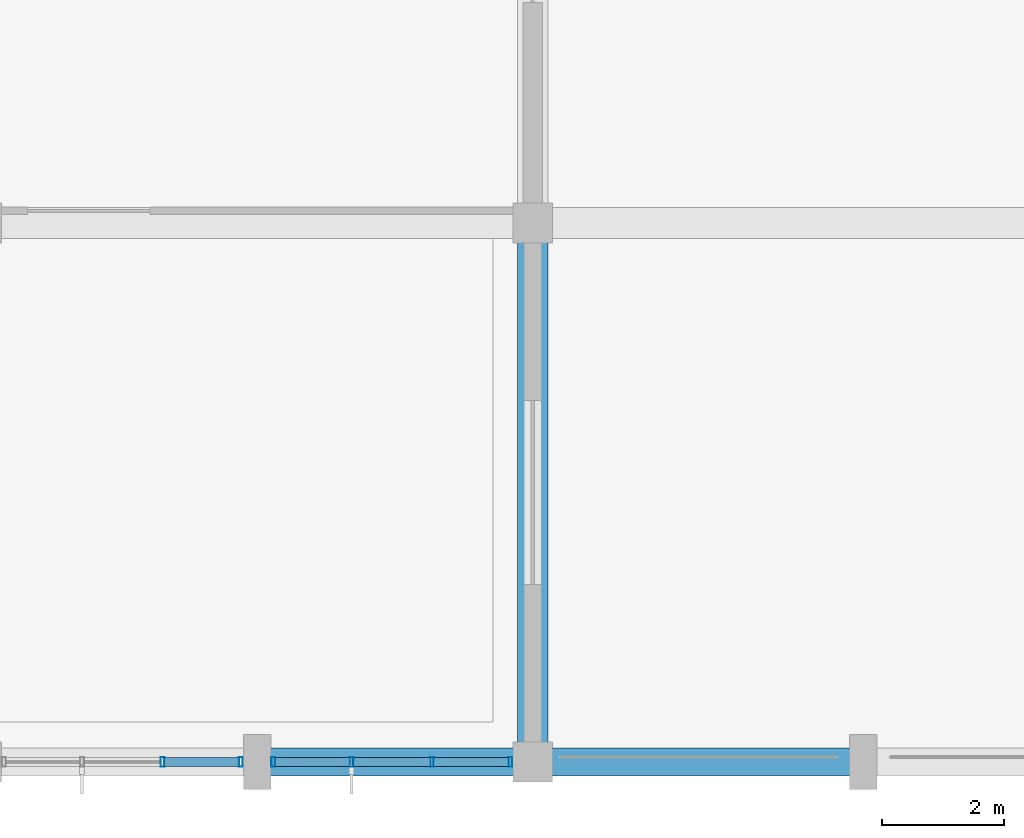
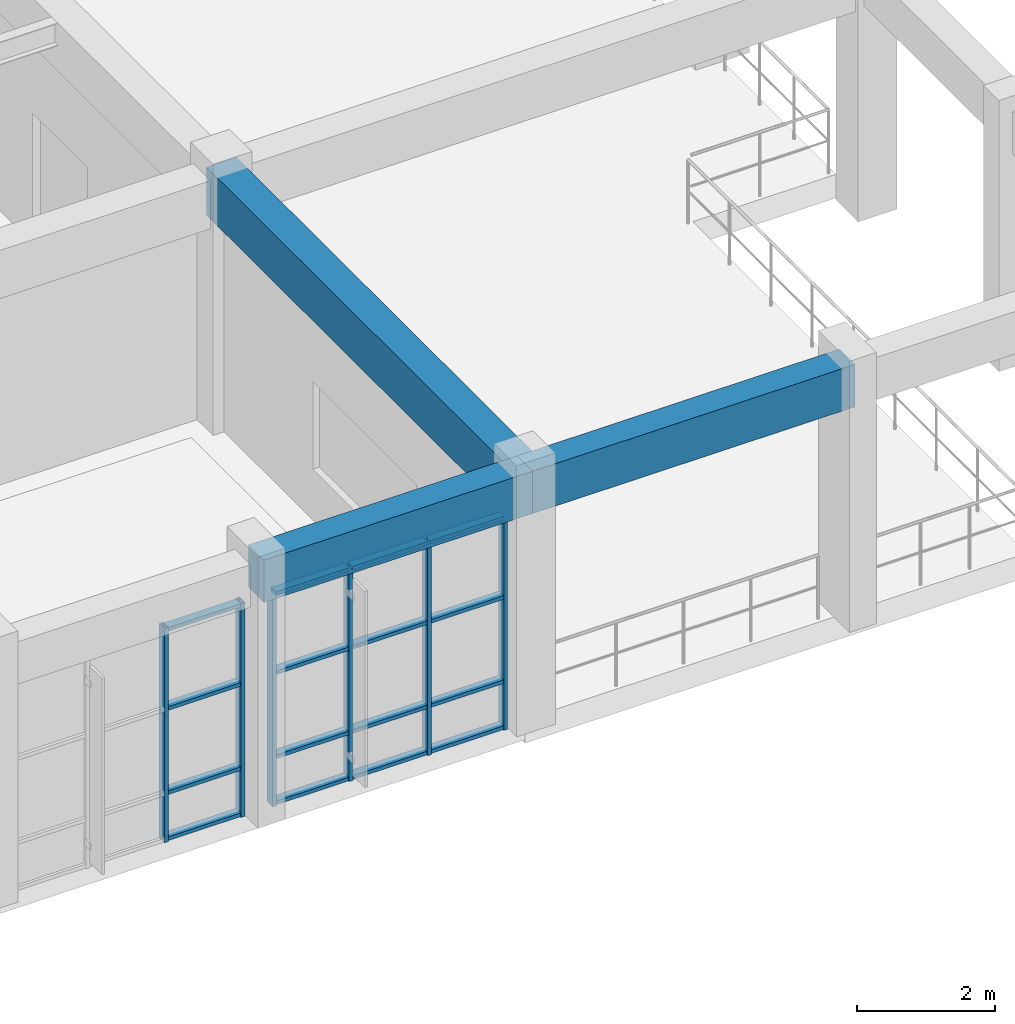
# One storey, part 11 of 104: 22 members, 3 beams, 2 elements without a shape of their own.
"""IFC4 building model written with IfcOpenShell, lengths in metres."""

import ifcopenshell
import ifcopenshell.guid

model = None  # the IFC model being written
_history = None  # IfcOwnerHistory: only IFC2X3 demands one
_inside = {}  # id of a spatial element -> (the spatial element, [elements in it])
_under = {}  # id of a project, library or spatial element -> (it, [spatial elements below it])
_declared = {}  # id of a project -> (the project, [libraries it declares])
_typed = {}  # id of a type object -> (the type object, [elements of that type])
_made_of = {}  # id of a material, layer set ... -> (it, [elements and type objects made of it])


def new_model(schema):
    """Start an empty IFC model of exactly this schema.

    Asked for "IFC4X3", IfcOpenShell would pick the latest addendum, in which some entities
    have other attributes; the version numbers below select the first issue.
    IFC2X3 requires an IfcOwnerHistory on every rooted entity: one is made here for all.
    """
    global model, _history
    if schema == "IFC4X3":
        model = ifcopenshell.file(schema_version=(4, 3, 0, 0))
    else:
        model = ifcopenshell.file(schema=schema)
    _inside.clear()
    _under.clear()
    _declared.clear()
    _typed.clear()
    _made_of.clear()
    _history = None
    if model.schema == "IFC2X3":
        org = make("IfcOrganization", Name="unknown")
        user = make(
            "IfcPersonAndOrganization",
            ThePerson=make("IfcPerson", FamilyName="unknown"),
            TheOrganization=org,
        )
        app = make(
            "IfcApplication",
            ApplicationDeveloper=org,
            Version="unknown",
            ApplicationFullName="unknown",
            ApplicationIdentifier="unknown",
        )
        _history = make(
            "IfcOwnerHistory",
            OwningUser=user,
            OwningApplication=app,
            ChangeAction="ADDED",
            CreationDate=0,
        )
    return model


def make(cls, **values):
    """One entity of the class cls with the attributes given. An attribute that is None is left unset."""
    return model.create_entity(
        cls, **{name: value for name, value in values.items() if value is not None}
    )


def rooted(cls, **values):
    """An entity with a GlobalId (a new one), such as an element, a storey or a relation."""
    return make(cls, GlobalId=ifcopenshell.guid.new(), OwnerHistory=_history, **values)


def si_unit(unit_type, name, prefix=None):
    """IfcSIUnit, for example si_unit("LENGTHUNIT", "METRE", prefix="MILLI")."""
    return make("IfcSIUnit", UnitType=unit_type, Prefix=prefix, Name=name)


def assignment(units):
    """IfcUnitAssignment: the units of a project."""
    return None if units is None else make("IfcUnitAssignment", Units=units)


def point(xyz):
    """IfcCartesianPoint."""
    return None if xyz is None else make("IfcCartesianPoint", Coordinates=xyz)


def direction(xyz):
    """IfcDirection."""
    return None if xyz is None else make("IfcDirection", DirectionRatios=xyz)


def frame(location, z_axis=None, x_axis=None):
    """IfcAxis2Placement3D, a coordinate frame: its origin and axes. An axis left out is left unset."""
    return make(
        "IfcAxis2Placement3D",
        Location=point(location),
        Axis=direction(z_axis),
        RefDirection=direction(x_axis),
    )


def frame_2d(location, x_axis=None):
    """IfcAxis2Placement2D, a coordinate frame in the plane: its origin and x axis."""
    return make(
        "IfcAxis2Placement2D", Location=point(location), RefDirection=direction(x_axis)
    )


def origin():
    """The frame at (0, 0, 0) with its axes left unset."""
    return frame((0.0, 0.0, 0.0))


def origin_2d():
    """The frame at (0, 0) in the plane with its x axis left unset."""
    return frame_2d((0.0, 0.0))


def place(relative_to, where):
    """IfcLocalPlacement: puts the frame where relative to a parent placement (None: the world)."""
    return make(
        "IfcLocalPlacement", PlacementRelTo=relative_to, RelativePlacement=where
    )


def context(
    kind, dimensions, precision=None, world=None, true_north=None, identifier=None
):
    """IfcGeometricRepresentationContext, for example the 3D "Model" context."""
    return make(
        "IfcGeometricRepresentationContext",
        ContextIdentifier=identifier,
        ContextType=kind,
        CoordinateSpaceDimension=dimensions,
        Precision=precision,
        WorldCoordinateSystem=world,
        TrueNorth=true_north,
    )


def subcontext(parent, identifier, kind, view, scale=None):
    """IfcGeometricRepresentationSubContext, for example "Body" below "Model"."""
    return make(
        "IfcGeometricRepresentationSubContext",
        ContextIdentifier=identifier,
        ContextType=kind,
        ParentContext=parent,
        TargetScale=scale,
        TargetView=view,
    )


def project(units=None, contexts=None):
    """IfcProject with its units and contexts."""
    return rooted(
        "IfcProject",
        Name="project",
        RepresentationContexts=contexts,
        UnitsInContext=assignment(units),
    )


def spatial(cls, under=None, at=None, **own):
    """A site, building, storey or space (cls), placed at a placement, below another one or the project."""
    s = rooted(cls, ObjectPlacement=at, **own)
    if under is not None:
        _under.setdefault(under.id(), (under, []))[1].append(s)
    return s


def profile(cls, at=None, kind="AREA", **sizes):
    """A parametric profile (cls). Its sizes go by their IFC names, for example OverallWidth=200.0."""
    return make(cls, ProfileType=kind, Position=at, **sizes)


def rectangle(**sizes):
    """IfcRectangleProfileDef."""
    return profile("IfcRectangleProfileDef", **sizes)


def hollow_rectangle(**sizes):
    """IfcRectangleHollowProfileDef."""
    return profile("IfcRectangleHollowProfileDef", **sizes)


def extrude(swept, where, along, depth):
    """IfcExtrudedAreaSolid: the profile swept, set in the frame where, extruded along a direction by depth."""
    return make(
        "IfcExtrudedAreaSolid",
        SweptArea=swept,
        Position=where,
        ExtrudedDirection=direction(along),
        Depth=depth,
    )


def shape(context_of_items, identifier, shape_type, items):
    """IfcShapeRepresentation: the items that make up one representation, for example the "Body"."""
    return make(
        "IfcShapeRepresentation",
        ContextOfItems=context_of_items,
        RepresentationIdentifier=identifier,
        RepresentationType=shape_type,
        Items=items,
    )


def material(Name=None, Category=None):
    """IfcMaterial."""
    return make("IfcMaterial", Name=Name, Category=Category)


def layer(
    of_material, thickness, ventilated=None, Name=None, Category=None, Priority=None
):
    """IfcMaterialLayer: one layer of a wall or slab, of a material (None: an air gap)."""
    return make(
        "IfcMaterialLayer",
        Material=of_material,
        LayerThickness=thickness,
        IsVentilated=ventilated,
        Name=Name,
        Category=Category,
        Priority=Priority,
    )


def layer_set(layers, Name=None):
    """IfcMaterialLayerSet."""
    return make("IfcMaterialLayerSet", MaterialLayers=layers, LayerSetName=Name)


def material_profile(
    of_material, cross_section, Name=None, Category=None, Priority=None
):
    """IfcMaterialProfile: a cross section and its material."""
    return make(
        "IfcMaterialProfile",
        Name=Name,
        Material=of_material,
        Profile=cross_section,
        Priority=Priority,
        Category=Category,
    )


def profile_set(profiles, Name=None, composite=None):
    """IfcMaterialProfileSet."""
    return make(
        "IfcMaterialProfileSet",
        Name=Name,
        MaterialProfiles=profiles,
        CompositeProfile=composite,
    )


def made_of(thing, what):
    """Note that an element or type object is made of a material, layer set ...; save() writes the relation."""
    if what is not None:
        _made_of.setdefault(what.id(), (what, []))[1].append(thing)
    return thing


def type_object(cls, material=None, **own):
    """A type object (cls), such as IfcWallType, which elements share."""
    return made_of(rooted(cls, **own), material)


def element(
    cls,
    number,
    at=None,
    inside=None,
    cuts=None,
    type_object=None,
    material=None,
    context=None,
    identifier="Body",
    shape_type=None,
    held_by="IfcProductDefinitionShape",
    body=None,
    shapes=None,
    **own,
):
    """One element of the class cls, such as IfcWall. Its Tag is "e" and its number.

    at: its placement. inside: the storey or other place that contains it. cuts: it is an
    opening in that element (IfcRelVoidsElement). A single representation is given by context,
    identifier, shape_type and body (its items); several are given by shapes. held_by: the class
    of the entity that holds the representations. save() writes the other relations.
    """
    e = rooted(cls, Tag="e%d" % number, ObjectPlacement=at, **own)
    if body is not None:
        shapes = [shape(context, identifier, shape_type, body)]
    if shapes is not None:
        e.Representation = make(held_by, Representations=shapes)
    if inside is not None:
        _inside.setdefault(inside.id(), (inside, []))[1].append(e)
    if cuts is not None:
        rooted(
            "IfcRelVoidsElement", RelatingBuildingElement=cuts, RelatedOpeningElement=e
        )
    if type_object is not None:
        _typed.setdefault(type_object.id(), (type_object, []))[1].append(e)
    return made_of(e, material)


def aggregate(whole, parts):
    """IfcRelAggregates: a whole, such as a stair, and the parts it consists of."""
    return rooted("IfcRelAggregates", RelatingObject=whole, RelatedObjects=parts)


def save(model, path):
    """Write the relations noted so far, then the file.

    IfcRelAggregates (storeys below a building ...), IfcRelContainedInSpatialStructure (elements
    in a storey), IfcRelDefinesByType, IfcRelAssociatesMaterial and IfcRelDeclares: one each for
    every whole, place, type object, material and project.
    """
    for whole, parts in _under.values():
        aggregate(whole, parts)
    for where, things in _inside.values():
        rooted(
            "IfcRelContainedInSpatialStructure",
            RelatedElements=things,
            RelatingStructure=where,
        )
    for kind, things in _typed.values():
        rooted("IfcRelDefinesByType", RelatedObjects=things, RelatingType=kind)
    for what, things in _made_of.values():
        rooted("IfcRelAssociatesMaterial", RelatedObjects=things, RelatingMaterial=what)
    for by, libraries in _declared.values():
        rooted("IfcRelDeclares", RelatingContext=by, RelatedDefinitions=libraries)
    model.write(path)


model = new_model("IFC4")

# Units and contexts
model_context = context("Model", 3, precision=1e-05, world=origin(), true_north=direction((0.0, 1.0)))
body_context = subcontext(model_context, "Body", "Model", "MODEL_VIEW")
ifc_project = project(units=[si_unit("LENGTHUNIT", "METRE"), si_unit("AREAUNIT", "SQUARE_METRE"), si_unit("VOLUMEUNIT", "CUBIC_METRE"), si_unit("PLANEANGLEUNIT", "RADIAN"), si_unit("MASSUNIT", "GRAM", prefix="KILO")], contexts=[model_context])

# Site, building, storey
site_placement = place(None, origin())
site = spatial("IfcSite", under=ifc_project, at=site_placement, CompositionType="ELEMENT")
building_placement = place(site_placement, origin())
building = spatial("IfcBuilding", under=site, at=building_placement, Name="Ventoquebrada Cableway Terminal", CompositionType="ELEMENT")
storey_placement = place(building_placement, frame((0.0, 0.0, 4.800048828125)))
storey = spatial("IfcBuildingStorey", under=building, at=storey_placement, Name="L01", CompositionType="ELEMENT", Elevation=4.800048828125)

# Beam
ifc_material_1 = material(Name="Concrete C40/50", Category="concrete")
ifc_material_profile_1 = material_profile(ifc_material_1, rectangle(XDim=0.5, YDim=0.85009765625, at=origin_2d()), Name="RC-BM-500X850")
ifc_profile_set_1 = profile_set([ifc_material_profile_1], Name="Concrete C40/50")
beam_type_1 = type_object("IfcBeamType", Name="BM-RC04", PredefinedType="BEAM", material=ifc_profile_set_1)
beam_1_placement = place(storey_placement, frame((26.199951171875, 3.0, 4.10498046875), z_axis=(0.0, 1.0, 0.0), x_axis=(-1.0, 0.0, 0.0)))
element("IfcBeam", 1, at=beam_1_placement, inside=storey, type_object=beam_type_1, Name="Primary frame girder FBM-0190", PredefinedType="BEAM", context=body_context, shape_type="SweptSolid", body=[
    extrude(rectangle(XDim=0.5, YDim=0.85009765625, at=origin_2d()), origin(), (0.0, 0.0, 1.0), 8.800048828125),
])

# Curtain wall, members
ifc_material_2 = material(Name="Anodized thermally-broken aluminium", Category="aluminium")
ifc_layer = layer(ifc_material_2, 0.159912109375)
ifc_layer_set = layer_set([ifc_layer], Name="Anodized thermally-broken aluminium")
curtain_wall_type = type_object("IfcCurtainWallType", Name="CW-T06", PredefinedType="USERDEFINED", material=ifc_layer_set)
curtain_wall_1_placement = place(storey_placement, origin())
curtain_wall_1 = element("IfcCurtainWall", 2, at=curtain_wall_1_placement, inside=storey, type_object=curtain_wall_type, Name="Unitised glazed curtain wall CW-012", ObjectType="UNITISED CURTAIN WALL", PredefinedType="USERDEFINED")
ifc_material_profile_2 = material_profile(ifc_material_2, hollow_rectangle(XDim=0.06494140625, YDim=0.159912109375, WallThickness=0.00390625, at=origin_2d()), Name="CW-MUL-65X160")
ifc_profile_set_2 = profile_set([ifc_material_profile_2], Name="Anodized thermally-broken aluminium")
member_type_1 = type_object("IfcMemberType", Name="CWM-01", PredefinedType="MULLION", material=ifc_profile_set_2)
member_1_placement = place(storey_placement, frame((20.156982421875, 3.0, -0.008056640625), z_axis=(0.0, 0.0, 1.0), x_axis=(1.0, 0.0, 0.0)))
member_1 = element("IfcMember", 3, at=member_1_placement, type_object=member_type_1, Name="Curtain wall mullion FML-0050", PredefinedType="MULLION", context=body_context, shape_type="SweptSolid", body=[
    extrude(hollow_rectangle(XDim=0.06494140625, YDim=0.159912109375, WallThickness=0.00390625, at=origin_2d()), origin(), (0.0, 0.0, 1.0), 3.7880859375),
])
member_2_placement = place(storey_placement, frame((21.43505859375, 3.0, -0.008056640625), z_axis=(0.0, 0.0, 1.0), x_axis=(1.0, 0.0, 0.0)))
member_2 = element("IfcMember", 4, at=member_2_placement, type_object=member_type_1, Name="Curtain wall mullion FML-0051", PredefinedType="MULLION", context=body_context, shape_type="SweptSolid", body=[
    extrude(hollow_rectangle(XDim=0.06494140625, YDim=0.159912109375, WallThickness=0.00390625, at=origin_2d()), origin(), (0.0, 0.0, 1.0), 3.7880859375),
])

curtain_wall_2_placement = place(storey_placement, origin())
curtain_wall_2 = element("IfcCurtainWall", 5, at=curtain_wall_2_placement, inside=storey, type_object=curtain_wall_type, Name="Unitised glazed curtain wall CW-013", ObjectType="UNITISED CURTAIN WALL", PredefinedType="USERDEFINED")
member_3_placement = place(storey_placement, frame((21.965087890625, 3.0, -0.008056640625), z_axis=(0.0, 0.0, 1.0), x_axis=(1.0, 0.0, 0.0)))
member_3 = element("IfcMember", 6, at=member_3_placement, type_object=member_type_1, Name="Curtain wall mullion FML-0052", PredefinedType="MULLION", context=body_context, shape_type="SweptSolid", body=[
    extrude(hollow_rectangle(XDim=0.06494140625, YDim=0.159912109375, WallThickness=0.00390625, at=origin_2d()), origin(), (0.0, 0.0, 1.0), 3.7880859375),
])
member_4_placement = place(storey_placement, frame((23.242919921875, 3.0, -0.008056640625), z_axis=(0.0, 0.0, 1.0), x_axis=(1.0, 0.0, 0.0)))
member_4 = element("IfcMember", 7, at=member_4_placement, type_object=member_type_1, Name="Curtain wall mullion FML-0053", PredefinedType="MULLION", context=body_context, shape_type="SweptSolid", body=[
    extrude(hollow_rectangle(XDim=0.06494140625, YDim=0.159912109375, WallThickness=0.00390625, at=origin_2d()), origin(), (0.0, 0.0, 1.0), 3.7880859375),
])
member_5_placement = place(storey_placement, frame((24.556884765625, 3.0, -0.008056640625), z_axis=(0.0, 0.0, 1.0), x_axis=(1.0, 0.0, 0.0)))
member_5 = element("IfcMember", 8, at=member_5_placement, type_object=member_type_1, Name="Curtain wall mullion FML-0054", PredefinedType="MULLION", context=body_context, shape_type="SweptSolid", body=[
    extrude(hollow_rectangle(XDim=0.06494140625, YDim=0.159912109375, WallThickness=0.00390625, at=origin_2d()), origin(), (0.0, 0.0, 1.0), 3.7880859375),
])
member_6_placement = place(storey_placement, frame((25.8349609375, 3.0, -0.008056640625), z_axis=(0.0, 0.0, 1.0), x_axis=(1.0, 0.0, 0.0)))
member_6 = element("IfcMember", 9, at=member_6_placement, type_object=member_type_1, Name="Curtain wall mullion FML-0055", PredefinedType="MULLION", context=body_context, shape_type="SweptSolid", body=[
    extrude(hollow_rectangle(XDim=0.06494140625, YDim=0.159912109375, WallThickness=0.00390625, at=origin_2d()), origin(), (0.0, 0.0, 1.0), 3.7880859375),
])

# Member
ifc_material_profile_3 = material_profile(ifc_material_2, hollow_rectangle(XDim=0.06494140625, YDim=0.139892578125, WallThickness=0.00390625, at=origin_2d()), Name="CW-TRN-65X140")
ifc_profile_set_3 = profile_set([ifc_material_profile_3], Name="Anodized thermally-broken aluminium")
member_type_2 = type_object("IfcMemberType", Name="CWT-01", PredefinedType="USERDEFINED", material=ifc_profile_set_3)
member_7_placement = place(storey_placement, frame((20.18408203125, 3.0, 0.034912109375), z_axis=(1.0, 0.0, 0.0), x_axis=(0.0, 0.0, 1.0)))
member_7 = element("IfcMember", 10, at=member_7_placement, type_object=member_type_2, Name="Curtain wall transom FTR-0144", ObjectType="TRANSOM", PredefinedType="USERDEFINED", context=body_context, shape_type="SweptSolid", body=[
    extrude(hollow_rectangle(XDim=0.06494140625, YDim=0.139892578125, WallThickness=0.00390625, at=origin_2d()), origin(), (0.0, 0.0, 1.0), 1.222900390625),
])

member_8_placement = place(storey_placement, frame((20.18408203125, 3.0, 0.849853515625), z_axis=(1.0, 0.0, 0.0), x_axis=(0.0, 0.0, 1.0)))
member_8 = element("IfcMember", 11, at=member_8_placement, type_object=member_type_2, Name="Curtain wall transom FTR-0145", ObjectType="TRANSOM", PredefinedType="USERDEFINED", context=body_context, shape_type="SweptSolid", body=[
    extrude(hollow_rectangle(XDim=0.06494140625, YDim=0.139892578125, WallThickness=0.00390625, at=origin_2d()), origin(), (0.0, 0.0, 1.0), 1.222900390625),
])

member_9_placement = place(storey_placement, frame((20.18408203125, 3.0, 2.33984375), z_axis=(1.0, 0.0, 0.0), x_axis=(0.0, 0.0, 1.0)))
member_9 = element("IfcMember", 12, at=member_9_placement, type_object=member_type_2, Name="Curtain wall transom FTR-0146", ObjectType="TRANSOM", PredefinedType="USERDEFINED", context=body_context, shape_type="SweptSolid", body=[
    extrude(hollow_rectangle(XDim=0.06494140625, YDim=0.139892578125, WallThickness=0.00390625, at=origin_2d()), origin(), (0.0, 0.0, 1.0), 1.222900390625),
])

member_10_placement = place(storey_placement, frame((20.18408203125, 3.0, 3.739990234375), z_axis=(1.0, 0.0, 0.0), x_axis=(0.0, 0.0, 1.0)))
member_10 = element("IfcMember", 13, at=member_10_placement, type_object=member_type_2, Name="Curtain wall transom FTR-0147", ObjectType="TRANSOM", PredefinedType="USERDEFINED", context=body_context, shape_type="SweptSolid", body=[
    extrude(hollow_rectangle(XDim=0.06494140625, YDim=0.139892578125, WallThickness=0.00390625, at=origin_2d()), origin(), (0.0, 0.0, 1.0), 1.222900390625),
])

aggregate(curtain_wall_1, [member_1, member_2, member_7, member_8, member_9, member_10])

member_11_placement = place(storey_placement, frame((21.991943359375, 3.0, 0.034912109375), z_axis=(1.0, 0.0, 0.0), x_axis=(0.0, 0.0, 1.0)))
member_11 = element("IfcMember", 14, at=member_11_placement, type_object=member_type_2, Name="Curtain wall transom FTR-0148", ObjectType="TRANSOM", PredefinedType="USERDEFINED", context=body_context, shape_type="SweptSolid", body=[
    extrude(hollow_rectangle(XDim=0.06494140625, YDim=0.139892578125, WallThickness=0.00390625, at=origin_2d()), origin(), (0.0, 0.0, 1.0), 1.22412109375),
])

member_12_placement = place(storey_placement, frame((21.991943359375, 3.0, 0.849853515625), z_axis=(1.0, 0.0, 0.0), x_axis=(0.0, 0.0, 1.0)))
member_12 = element("IfcMember", 15, at=member_12_placement, type_object=member_type_2, Name="Curtain wall transom FTR-0149", ObjectType="TRANSOM", PredefinedType="USERDEFINED", context=body_context, shape_type="SweptSolid", body=[
    extrude(hollow_rectangle(XDim=0.06494140625, YDim=0.139892578125, WallThickness=0.00390625, at=origin_2d()), origin(), (0.0, 0.0, 1.0), 1.22412109375),
])

member_13_placement = place(storey_placement, frame((21.991943359375, 3.0, 2.33984375), z_axis=(1.0, 0.0, 0.0), x_axis=(0.0, 0.0, 1.0)))
member_13 = element("IfcMember", 16, at=member_13_placement, type_object=member_type_2, Name="Curtain wall transom FTR-0150", ObjectType="TRANSOM", PredefinedType="USERDEFINED", context=body_context, shape_type="SweptSolid", body=[
    extrude(hollow_rectangle(XDim=0.06494140625, YDim=0.139892578125, WallThickness=0.00390625, at=origin_2d()), origin(), (0.0, 0.0, 1.0), 1.22412109375),
])

member_14_placement = place(storey_placement, frame((21.991943359375, 3.0, 3.739990234375), z_axis=(1.0, 0.0, 0.0), x_axis=(0.0, 0.0, 1.0)))
member_14 = element("IfcMember", 17, at=member_14_placement, type_object=member_type_2, Name="Curtain wall transom FTR-0151", ObjectType="TRANSOM", PredefinedType="USERDEFINED", context=body_context, shape_type="SweptSolid", body=[
    extrude(hollow_rectangle(XDim=0.06494140625, YDim=0.139892578125, WallThickness=0.00390625, at=origin_2d()), origin(), (0.0, 0.0, 1.0), 1.22412109375),
])

member_15_placement = place(storey_placement, frame((23.27099609375, 3.0, 0.034912109375), z_axis=(1.0, 0.0, 0.0), x_axis=(0.0, 0.0, 1.0)))
member_15 = element("IfcMember", 18, at=member_15_placement, type_object=member_type_2, Name="Curtain wall transom FTR-0152", ObjectType="TRANSOM", PredefinedType="USERDEFINED", context=body_context, shape_type="SweptSolid", body=[
    extrude(hollow_rectangle(XDim=0.06494140625, YDim=0.139892578125, WallThickness=0.00390625, at=origin_2d()), origin(), (0.0, 0.0, 1.0), 1.258056640625),
])

member_16_placement = place(storey_placement, frame((23.27099609375, 3.0, 0.849853515625), z_axis=(1.0, 0.0, 0.0), x_axis=(0.0, 0.0, 1.0)))
member_16 = element("IfcMember", 19, at=member_16_placement, type_object=member_type_2, Name="Curtain wall transom FTR-0153", ObjectType="TRANSOM", PredefinedType="USERDEFINED", context=body_context, shape_type="SweptSolid", body=[
    extrude(hollow_rectangle(XDim=0.06494140625, YDim=0.139892578125, WallThickness=0.00390625, at=origin_2d()), origin(), (0.0, 0.0, 1.0), 1.258056640625),
])

member_17_placement = place(storey_placement, frame((23.27099609375, 3.0, 2.33984375), z_axis=(1.0, 0.0, 0.0), x_axis=(0.0, 0.0, 1.0)))
member_17 = element("IfcMember", 20, at=member_17_placement, type_object=member_type_2, Name="Curtain wall transom FTR-0154", ObjectType="TRANSOM", PredefinedType="USERDEFINED", context=body_context, shape_type="SweptSolid", body=[
    extrude(hollow_rectangle(XDim=0.06494140625, YDim=0.139892578125, WallThickness=0.00390625, at=origin_2d()), origin(), (0.0, 0.0, 1.0), 1.258056640625),
])

member_18_placement = place(storey_placement, frame((23.27099609375, 3.0, 3.739990234375), z_axis=(1.0, 0.0, 0.0), x_axis=(0.0, 0.0, 1.0)))
member_18 = element("IfcMember", 21, at=member_18_placement, type_object=member_type_2, Name="Curtain wall transom FTR-0155", ObjectType="TRANSOM", PredefinedType="USERDEFINED", context=body_context, shape_type="SweptSolid", body=[
    extrude(hollow_rectangle(XDim=0.06494140625, YDim=0.139892578125, WallThickness=0.00390625, at=origin_2d()), origin(), (0.0, 0.0, 1.0), 1.258056640625),
])

member_19_placement = place(storey_placement, frame((24.583984375, 3.0, 0.034912109375), z_axis=(1.0, 0.0, 0.0), x_axis=(0.0, 0.0, 1.0)))
member_19 = element("IfcMember", 22, at=member_19_placement, type_object=member_type_2, Name="Curtain wall transom FTR-0156", ObjectType="TRANSOM", PredefinedType="USERDEFINED", context=body_context, shape_type="SweptSolid", body=[
    extrude(hollow_rectangle(XDim=0.06494140625, YDim=0.139892578125, WallThickness=0.00390625, at=origin_2d()), origin(), (0.0, 0.0, 1.0), 1.22412109375),
])

member_20_placement = place(storey_placement, frame((24.583984375, 3.0, 0.849853515625), z_axis=(1.0, 0.0, 0.0), x_axis=(0.0, 0.0, 1.0)))
member_20 = element("IfcMember", 23, at=member_20_placement, type_object=member_type_2, Name="Curtain wall transom FTR-0157", ObjectType="TRANSOM", PredefinedType="USERDEFINED", context=body_context, shape_type="SweptSolid", body=[
    extrude(hollow_rectangle(XDim=0.06494140625, YDim=0.139892578125, WallThickness=0.00390625, at=origin_2d()), origin(), (0.0, 0.0, 1.0), 1.22412109375),
])

member_21_placement = place(storey_placement, frame((24.583984375, 3.0, 2.33984375), z_axis=(1.0, 0.0, 0.0), x_axis=(0.0, 0.0, 1.0)))
member_21 = element("IfcMember", 24, at=member_21_placement, type_object=member_type_2, Name="Curtain wall transom FTR-0158", ObjectType="TRANSOM", PredefinedType="USERDEFINED", context=body_context, shape_type="SweptSolid", body=[
    extrude(hollow_rectangle(XDim=0.06494140625, YDim=0.139892578125, WallThickness=0.00390625, at=origin_2d()), origin(), (0.0, 0.0, 1.0), 1.22412109375),
])

member_22_placement = place(storey_placement, frame((24.583984375, 3.0, 3.739990234375), z_axis=(1.0, 0.0, 0.0), x_axis=(0.0, 0.0, 1.0)))
member_22 = element("IfcMember", 25, at=member_22_placement, type_object=member_type_2, Name="Curtain wall transom FTR-0159", ObjectType="TRANSOM", PredefinedType="USERDEFINED", context=body_context, shape_type="SweptSolid", body=[
    extrude(hollow_rectangle(XDim=0.06494140625, YDim=0.139892578125, WallThickness=0.00390625, at=origin_2d()), origin(), (0.0, 0.0, 1.0), 1.22412109375),
])

aggregate(curtain_wall_2, [member_3, member_4, member_5, member_6, member_11, member_12, member_13, member_14, member_15, member_16, member_17, member_18, member_19, member_20, member_21, member_22])

# Beams
ifc_material_profile_4 = material_profile(ifc_material_1, rectangle(XDim=0.449951171875, YDim=0.75, at=origin_2d()), Name="RC-BM-450X750")
ifc_profile_set_4 = profile_set([ifc_material_profile_4], Name="Concrete C40/50")
beam_type_2 = type_object("IfcBeamType", Name="SP-RC02", PredefinedType="SPANDREL", material=ifc_profile_set_4)
beam_2_placement = place(storey_placement, frame((21.699951171875, 3.0, 4.155029296875), z_axis=(1.0, 0.0, 0.0), x_axis=(0.0, 1.0, 0.0)))
element("IfcBeam", 26, at=beam_2_placement, inside=storey, type_object=beam_type_2, Name="Perimeter spandrel beam FBM-0149", PredefinedType="SPANDREL", context=body_context, shape_type="SweptSolid", body=[
    extrude(rectangle(XDim=0.449951171875, YDim=0.75, at=origin_2d()), origin(), (0.0, 0.0, 1.0), 4.5),
])
beam_3_placement = place(storey_placement, frame((26.199951171875, 3.0, 4.155029296875), z_axis=(1.0, 0.0, 0.0), x_axis=(0.0, 1.0, 0.0)))
element("IfcBeam", 27, at=beam_3_placement, inside=storey, type_object=beam_type_2, Name="Perimeter spandrel beam FBM-0150", PredefinedType="SPANDREL", context=body_context, shape_type="SweptSolid", body=[
    extrude(rectangle(XDim=0.449951171875, YDim=0.75, at=origin_2d()), origin(), (0.0, 0.0, 1.0), 5.400146484375),
])

save(model, "model.ifc")
